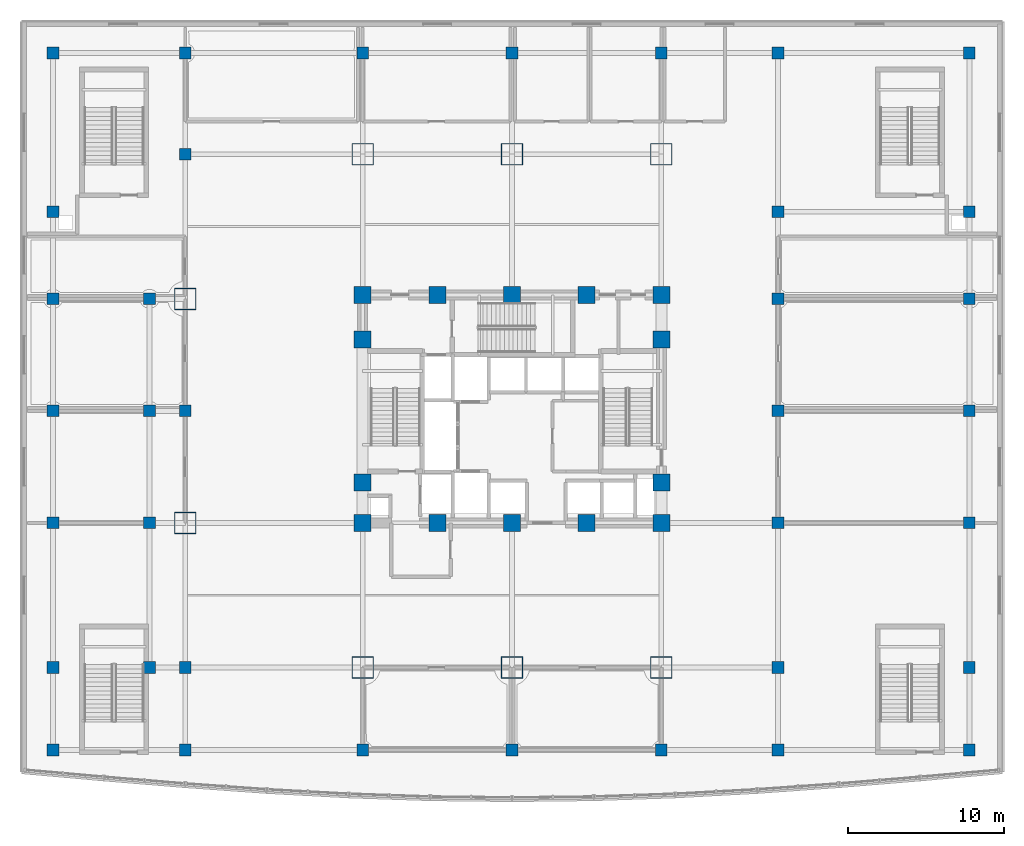
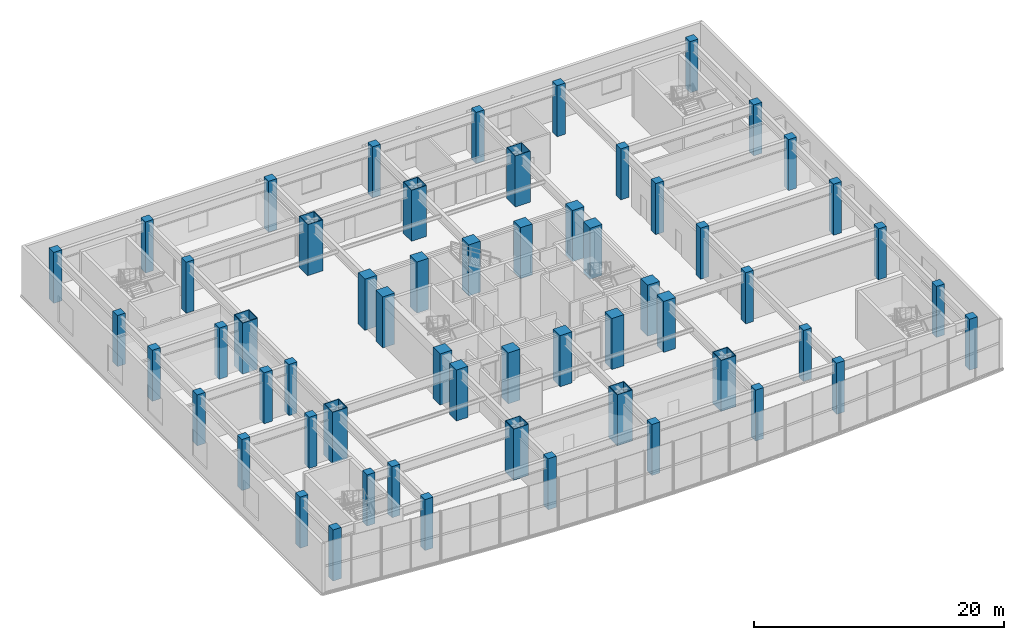
# One storey, part 1 of 24: 58 columns.
"""IFC4 building model written with IfcOpenShell, lengths in metres."""

from ifc_helpers import new_model, si_unit, direction, frame, origin, origin_2d, place, context, subcontext, project, spatial, rectangle, hollow_rectangle, extrude, material, material_profile, profile_set, type_object, element, save


model = new_model("IFC4")

# Units and contexts
model_context = context("Model", 3, precision=1e-05, world=origin(), true_north=direction((0.0, 1.0)))
body_context = subcontext(model_context, "Body", "Model", "MODEL_VIEW")
ifc_project = project(units=[si_unit("LENGTHUNIT", "METRE"), si_unit("AREAUNIT", "SQUARE_METRE"), si_unit("VOLUMEUNIT", "CUBIC_METRE"), si_unit("PLANEANGLEUNIT", "RADIAN"), si_unit("MASSUNIT", "GRAM", prefix="KILO")], contexts=[model_context])

# Site, building, storey
site_placement = place(None, origin())
site = spatial("IfcSite", under=ifc_project, at=site_placement, CompositionType="ELEMENT")
building_placement = place(site_placement, origin())
building = spatial("IfcBuilding", under=site, at=building_placement, Name="Vantalir Tower", CompositionType="ELEMENT")
storey_placement = place(building_placement, frame((0.0, 0.0, 11.0)))
storey = spatial("IfcBuildingStorey", under=building, at=storey_placement, Name="L02", CompositionType="ELEMENT", Elevation=11.0)

# Columns
ifc_material_1 = material(Name="Concrete C60/75", Category="concrete")
ifc_material_profile_1 = material_profile(ifc_material_1, rectangle(XDim=1.10009765625, YDim=1.10009765625, at=origin_2d()), Name="Concrete C60/75")
ifc_profile_set_1 = profile_set([ifc_material_profile_1], Name="Concrete C60/75")
column_type_1 = type_object("IfcColumnType", Name="COL-CC-1100", PredefinedType="COLUMN", material=ifc_profile_set_1)
for number, where, z_axis, x_axis, name in (
    (1, (21.89990234375, 17.800048828125, 0.0), (0.0, 0.0, 1.0), (1.0, 0.0, 0.0), "Level 02 Core Column CC01"),
    (2, (26.699951171875, 17.800048828125, 0.0), (0.0, 0.0, 1.0), (1.0, 0.0, 0.0), "Level 02 Core Column CC02"),
    (3, (31.5, 17.800048828125, 0.0), (0.0, 0.0, 1.0), (1.0, 0.0, 0.0), "Level 02 Core Column CC03"),
    (4, (36.300048828125, 17.800048828125, 0.0), (0.0, 0.0, 1.0), (1.0, 0.0, 0.0), "Level 02 Core Column CC04"),
    (5, (41.10009765625, 17.800048828125, 0.0), (0.0, 0.0, 1.0), (1.0, 0.0, 0.0), "Level 02 Core Column CC05"),
    (6, (21.89990234375, 20.39990234375, 0.0), (0.0, 0.0, 1.0), (1.0, 0.0, 0.0), "Level 02 Core Column CC06"),
    (7, (21.89990234375, 29.60009765625, 0.0), (0.0, 0.0, 1.0), (1.0, 0.0, 0.0), "Level 02 Core Column CC07"),
    (8, (41.10009765625, 20.39990234375, 0.0), (0.0, 0.0, 1.0), (1.0, 0.0, 0.0), "Level 02 Core Column CC08"),
    (9, (41.10009765625, 29.60009765625, 0.0), (0.0, 0.0, 1.0), (1.0, 0.0, 0.0), "Level 02 Core Column CC09"),
    (10, (21.89990234375, 32.449951171875, 0.0), (0.0, 0.0, 1.0), (1.0, 0.0, 0.0), "Level 02 Core Column CC10"),
    (11, (26.699951171875, 32.449951171875, 0.0), (0.0, 0.0, 1.0), (1.0, 0.0, 0.0), "Level 02 Core Column CC11"),
    (12, (31.5, 32.449951171875, 0.0), (0.0, 0.0, 1.0), (1.0, 0.0, 0.0), "Level 02 Core Column CC12"),
    (13, (36.300048828125, 32.449951171875, 0.0), (0.0, 0.0, 1.0), (1.0, 0.0, 0.0), "Level 02 Core Column CC13"),
    (14, (41.10009765625, 32.449951171875, 0.0), (0.0, 0.0, 1.0), (1.0, 0.0, 0.0), "Level 02 Core Column CC14"),
):
    element("IfcColumn", number, at=place(storey_placement, frame(where, z_axis=z_axis, x_axis=x_axis)), inside=storey, type_object=column_type_1, Name=name, PredefinedType="COLUMN", context=body_context, shape_type="SweptSolid", body=[
        extrude(rectangle(XDim=1.10009765625, YDim=1.10009765625, at=origin_2d()), origin(), (0.0, 0.0, 1.0), 5.0),
    ])
ifc_material_2 = material(Name="Steel S460", Category="steel")
ifc_material_profile_2 = material_profile(ifc_material_2, hollow_rectangle(XDim=1.39990234375, YDim=1.39990234375, WallThickness=0.050048828125, at=origin_2d()), Name="Steel S460")
ifc_profile_set_2 = profile_set([ifc_material_profile_2], Name="Steel S460")
column_type_2 = type_object("IfcColumnType", Name="COL-MC-1400", PredefinedType="COLUMN", material=ifc_profile_set_2)
for number, where, z_axis, x_axis, name in (
    (15, (21.89990234375, 8.5, 0.0), (0.0, 0.0, 1.0), (1.0, 0.0, 0.0), "Level 02 S460 Mega-Column MC01"),
    (16, (31.5, 8.5, 0.0), (0.0, 0.0, 1.0), (1.0, 0.0, 0.0), "Level 02 S460 Mega-Column MC02"),
    (17, (41.10009765625, 8.5, 0.0), (0.0, 0.0, 1.0), (1.0, 0.0, 0.0), "Level 02 S460 Mega-Column MC03"),
    (18, (10.5, 17.800048828125, 0.0), (0.0, 0.0, 1.0), (1.0, 0.0, 0.0), "Level 02 S460 Mega-Column MC04"),
    (19, (10.5, 32.199951171875, 0.0), (0.0, 0.0, 1.0), (1.0, 0.0, 0.0), "Level 02 S460 Mega-Column MC05"),
    (20, (21.89990234375, 41.5, 0.0), (0.0, 0.0, 1.0), (1.0, 0.0, 0.0), "Level 02 S460 Mega-Column MC06"),
    (21, (31.5, 41.5, 0.0), (0.0, 0.0, 1.0), (1.0, 0.0, 0.0), "Level 02 S460 Mega-Column MC07"),
    (22, (41.10009765625, 41.5, 0.0), (0.0, 0.0, 1.0), (1.0, 0.0, 0.0), "Level 02 S460 Mega-Column MC08"),
):
    element("IfcColumn", number, at=place(storey_placement, frame(where, z_axis=z_axis, x_axis=x_axis)), inside=storey, type_object=column_type_2, Name=name, PredefinedType="COLUMN", context=body_context, shape_type="SweptSolid", body=[
        extrude(hollow_rectangle(XDim=1.39990234375, YDim=1.39990234375, WallThickness=0.050048828125, at=origin_2d()), origin(), (0.0, 0.0, 1.0), 5.0),
    ])
ifc_material_3 = material(Name="Concrete C50/60", Category="concrete")
ifc_material_profile_3 = material_profile(ifc_material_3, rectangle(XDim=0.75, YDim=0.75, at=origin_2d()), Name="Concrete C50/60")
ifc_profile_set_3 = profile_set([ifc_material_profile_3], Name="Concrete C50/60")
column_type_3 = type_object("IfcColumnType", Name="COL-PC-750", PredefinedType="COLUMN", material=ifc_profile_set_3)
for number, where, z_axis, x_axis, name in (
    (23, (2.0, 3.199951171875, 0.0), (0.0, 0.0, 1.0), (1.0, 0.0, 0.0), "Level 02 Podium Column PC01"),
    (24, (8.199951171875, 8.5, 0.0), (0.0, 0.0, 1.0), (1.0, 0.0, 0.0), "Level 02 Podium Column PC02"),
    (25, (8.199951171875, 17.800048828125, 0.0), (0.0, 0.0, 1.0), (1.0, 0.0, 0.0), "Level 02 Podium Column PC03"),
    (26, (8.199951171875, 25.0, 0.0), (0.0, 0.0, 1.0), (1.0, 0.0, 0.0), "Level 02 Podium Column PC04"),
    (27, (8.199951171875, 32.199951171875, 0.0), (0.0, 0.0, 1.0), (1.0, 0.0, 0.0), "Level 02 Podium Column PC05"),
    (28, (2.0, 37.800048828125, 0.0), (0.0, 0.0, 1.0), (1.0, 0.0, 0.0), "Level 02 Podium Column PC06"),
    (29, (2.0, 48.0, 0.0), (0.0, 0.0, 1.0), (1.0, 0.0, 0.0), "Level 02 Podium Column PC07"),
    (30, (2.0, 8.5, 0.0), (0.0, 0.0, 1.0), (1.0, 0.0, 0.0), "Level 02 Podium Column PC08"),
    (31, (2.0, 17.800048828125, 0.0), (0.0, 0.0, 1.0), (1.0, 0.0, 0.0), "Level 02 Podium Column PC09"),
    (32, (2.0, 25.0, 0.0), (0.0, 0.0, 1.0), (1.0, 0.0, 0.0), "Level 02 Podium Column PC10"),
    (33, (2.0, 32.199951171875, 0.0), (0.0, 0.0, 1.0), (1.0, 0.0, 0.0), "Level 02 Podium Column PC11"),
    (34, (10.5, 3.199951171875, 0.0), (0.0, 0.0, 1.0), (1.0, 0.0, 0.0), "Level 02 Podium Column PC12"),
    (35, (10.5, 8.5, 0.0), (0.0, 0.0, 1.0), (1.0, 0.0, 0.0), "Level 02 Podium Column PC13"),
    (36, (10.5, 25.0, 0.0), (0.0, 0.0, 1.0), (1.0, 0.0, 0.0), "Level 02 Podium Column PC14"),
    (37, (10.5, 41.5, 0.0), (0.0, 0.0, 1.0), (1.0, 0.0, 0.0), "Level 02 Podium Column PC15"),
    (38, (10.5, 48.0, 0.0), (0.0, 0.0, 1.0), (1.0, 0.0, 0.0), "Level 02 Podium Column PC16"),
    (39, (21.89990234375, 3.199951171875, 0.0), (0.0, 0.0, 1.0), (1.0, 0.0, 0.0), "Level 02 Podium Column PC17"),
    (40, (31.5, 3.199951171875, 0.0), (0.0, 0.0, 1.0), (1.0, 0.0, 0.0), "Level 02 Podium Column PC18"),
    (41, (41.10009765625, 3.199951171875, 0.0), (0.0, 0.0, 1.0), (1.0, 0.0, 0.0), "Level 02 Podium Column PC19"),
    (42, (48.60009765625, 3.199951171875, 0.0), (0.0, 0.0, 1.0), (1.0, 0.0, 0.0), "Level 02 Podium Column PC20"),
    (43, (48.60009765625, 8.5, 0.0), (0.0, 0.0, 1.0), (1.0, 0.0, 0.0), "Level 02 Podium Column PC21"),
    (44, (21.89990234375, 48.0, 0.0), (0.0, 0.0, 1.0), (1.0, 0.0, 0.0), "Level 02 Podium Column PC22"),
    (45, (31.5, 48.0, 0.0), (0.0, 0.0, 1.0), (1.0, 0.0, 0.0), "Level 02 Podium Column PC23"),
    (46, (41.10009765625, 48.0, 0.0), (0.0, 0.0, 1.0), (1.0, 0.0, 0.0), "Level 02 Podium Column PC24"),
    (47, (48.60009765625, 48.0, 0.0), (0.0, 0.0, 1.0), (1.0, 0.0, 0.0), "Level 02 Podium Column PC25"),
    (48, (48.60009765625, 17.800048828125, 0.0), (0.0, 0.0, 1.0), (1.0, 0.0, 0.0), "Level 02 Podium Column PC26"),
    (49, (48.60009765625, 25.0, 0.0), (0.0, 0.0, 1.0), (1.0, 0.0, 0.0), "Level 02 Podium Column PC27"),
    (50, (48.60009765625, 32.199951171875, 0.0), (0.0, 0.0, 1.0), (1.0, 0.0, 0.0), "Level 02 Podium Column PC28"),
    (51, (48.60009765625, 37.800048828125, 0.0), (0.0, 0.0, 1.0), (1.0, 0.0, 0.0), "Level 02 Podium Column PC29"),
    (52, (60.89990234375, 3.199951171875, 0.0), (0.0, 0.0, 1.0), (1.0, 0.0, 0.0), "Level 02 Podium Column PC30"),
    (53, (60.89990234375, 8.5, 0.0), (0.0, 0.0, 1.0), (1.0, 0.0, 0.0), "Level 02 Podium Column PC31"),
    (54, (60.89990234375, 17.800048828125, 0.0), (0.0, 0.0, 1.0), (1.0, 0.0, 0.0), "Level 02 Podium Column PC32"),
    (55, (60.89990234375, 25.0, 0.0), (0.0, 0.0, 1.0), (1.0, 0.0, 0.0), "Level 02 Podium Column PC33"),
    (56, (60.89990234375, 32.199951171875, 0.0), (0.0, 0.0, 1.0), (1.0, 0.0, 0.0), "Level 02 Podium Column PC34"),
    (57, (60.89990234375, 37.800048828125, 0.0), (0.0, 0.0, 1.0), (1.0, 0.0, 0.0), "Level 02 Podium Column PC35"),
    (58, (60.89990234375, 48.0, 0.0), (0.0, 0.0, 1.0), (1.0, 0.0, 0.0), "Level 02 Podium Column PC36"),
):
    element("IfcColumn", number, at=place(storey_placement, frame(where, z_axis=z_axis, x_axis=x_axis)), inside=storey, type_object=column_type_3, Name=name, PredefinedType="COLUMN", context=body_context, shape_type="SweptSolid", body=[
        extrude(rectangle(XDim=0.75, YDim=0.75, at=origin_2d()), origin(), (0.0, 0.0, 1.0), 5.0),
    ])

save(model, "model.ifc")
